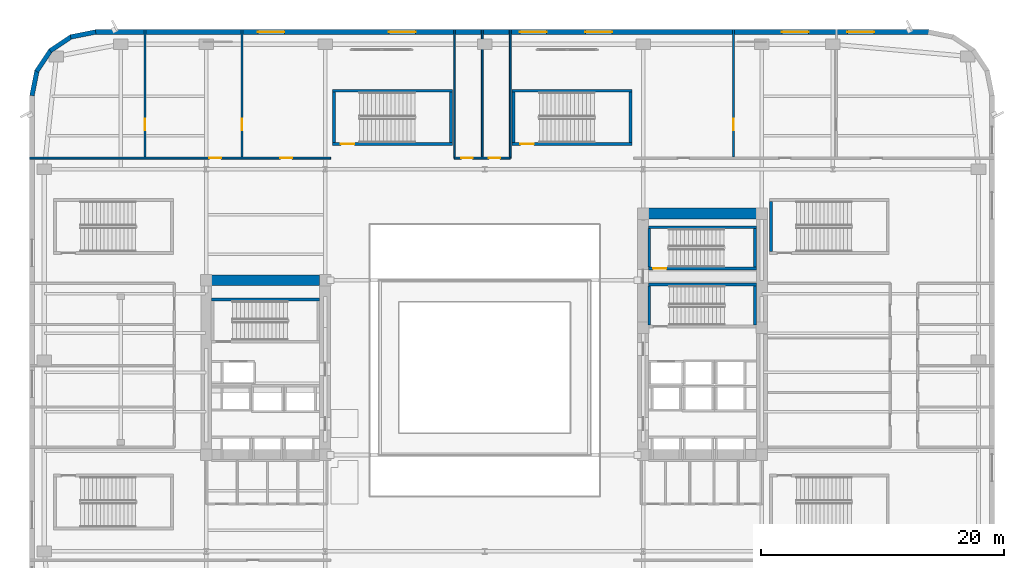
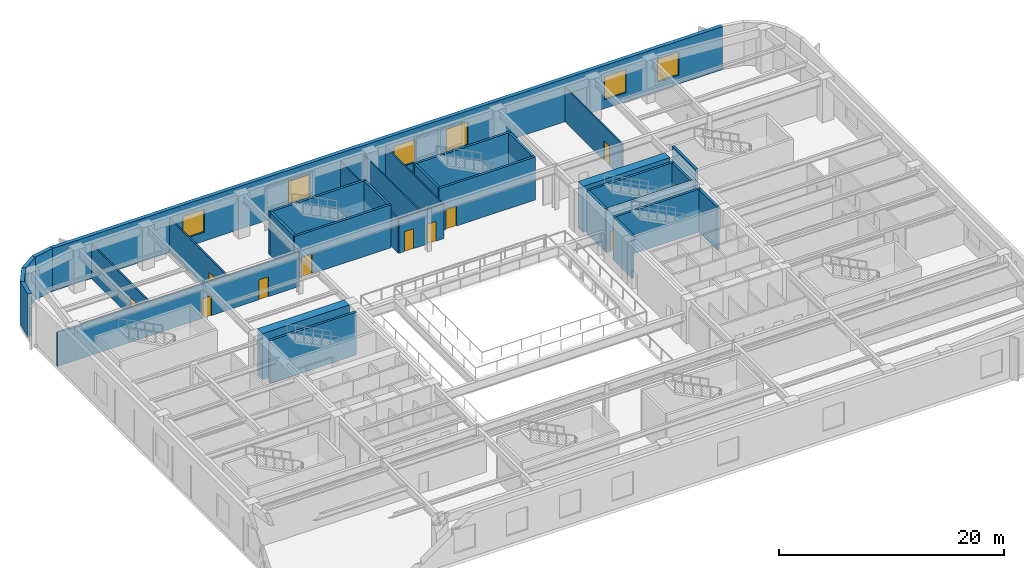
# One storey, part 8 of 21: 32 walls, 10 doors, 6 windows, 16 openings.
"""IFC4 building model written with IfcOpenShell, lengths in metres."""

import ifcopenshell
import ifcopenshell.guid

model = None  # the IFC model being written
_history = None  # IfcOwnerHistory: only IFC2X3 demands one
_inside = {}  # id of a spatial element -> (the spatial element, [elements in it])
_under = {}  # id of a project, library or spatial element -> (it, [spatial elements below it])
_declared = {}  # id of a project -> (the project, [libraries it declares])
_typed = {}  # id of a type object -> (the type object, [elements of that type])
_made_of = {}  # id of a material, layer set ... -> (it, [elements and type objects made of it])


def new_model(schema):
    """Start an empty IFC model of exactly this schema.

    Asked for "IFC4X3", IfcOpenShell would pick the latest addendum, in which some entities
    have other attributes; the version numbers below select the first issue.
    IFC2X3 requires an IfcOwnerHistory on every rooted entity: one is made here for all.
    """
    global model, _history
    if schema == "IFC4X3":
        model = ifcopenshell.file(schema_version=(4, 3, 0, 0))
    else:
        model = ifcopenshell.file(schema=schema)
    _inside.clear()
    _under.clear()
    _declared.clear()
    _typed.clear()
    _made_of.clear()
    _history = None
    if model.schema == "IFC2X3":
        org = make("IfcOrganization", Name="unknown")
        user = make(
            "IfcPersonAndOrganization",
            ThePerson=make("IfcPerson", FamilyName="unknown"),
            TheOrganization=org,
        )
        app = make(
            "IfcApplication",
            ApplicationDeveloper=org,
            Version="unknown",
            ApplicationFullName="unknown",
            ApplicationIdentifier="unknown",
        )
        _history = make(
            "IfcOwnerHistory",
            OwningUser=user,
            OwningApplication=app,
            ChangeAction="ADDED",
            CreationDate=0,
        )
    return model


def make(cls, **values):
    """One entity of the class cls with the attributes given. An attribute that is None is left unset."""
    return model.create_entity(
        cls, **{name: value for name, value in values.items() if value is not None}
    )


def rooted(cls, **values):
    """An entity with a GlobalId (a new one), such as an element, a storey or a relation."""
    return make(cls, GlobalId=ifcopenshell.guid.new(), OwnerHistory=_history, **values)


def si_unit(unit_type, name, prefix=None):
    """IfcSIUnit, for example si_unit("LENGTHUNIT", "METRE", prefix="MILLI")."""
    return make("IfcSIUnit", UnitType=unit_type, Prefix=prefix, Name=name)


def assignment(units):
    """IfcUnitAssignment: the units of a project."""
    return None if units is None else make("IfcUnitAssignment", Units=units)


def point(xyz):
    """IfcCartesianPoint."""
    return None if xyz is None else make("IfcCartesianPoint", Coordinates=xyz)


def direction(xyz):
    """IfcDirection."""
    return None if xyz is None else make("IfcDirection", DirectionRatios=xyz)


def frame(location, z_axis=None, x_axis=None):
    """IfcAxis2Placement3D, a coordinate frame: its origin and axes. An axis left out is left unset."""
    return make(
        "IfcAxis2Placement3D",
        Location=point(location),
        Axis=direction(z_axis),
        RefDirection=direction(x_axis),
    )


def frame_2d(location, x_axis=None):
    """IfcAxis2Placement2D, a coordinate frame in the plane: its origin and x axis."""
    return make(
        "IfcAxis2Placement2D", Location=point(location), RefDirection=direction(x_axis)
    )


def origin():
    """The frame at (0, 0, 0) with its axes left unset."""
    return frame((0.0, 0.0, 0.0))


def place(relative_to, where):
    """IfcLocalPlacement: puts the frame where relative to a parent placement (None: the world)."""
    return make(
        "IfcLocalPlacement", PlacementRelTo=relative_to, RelativePlacement=where
    )


def context(
    kind, dimensions, precision=None, world=None, true_north=None, identifier=None
):
    """IfcGeometricRepresentationContext, for example the 3D "Model" context."""
    return make(
        "IfcGeometricRepresentationContext",
        ContextIdentifier=identifier,
        ContextType=kind,
        CoordinateSpaceDimension=dimensions,
        Precision=precision,
        WorldCoordinateSystem=world,
        TrueNorth=true_north,
    )


def subcontext(parent, identifier, kind, view, scale=None):
    """IfcGeometricRepresentationSubContext, for example "Body" below "Model"."""
    return make(
        "IfcGeometricRepresentationSubContext",
        ContextIdentifier=identifier,
        ContextType=kind,
        ParentContext=parent,
        TargetScale=scale,
        TargetView=view,
    )


def project(units=None, contexts=None):
    """IfcProject with its units and contexts."""
    return rooted(
        "IfcProject",
        Name="project",
        RepresentationContexts=contexts,
        UnitsInContext=assignment(units),
    )


def spatial(cls, under=None, at=None, **own):
    """A site, building, storey or space (cls), placed at a placement, below another one or the project."""
    s = rooted(cls, ObjectPlacement=at, **own)
    if under is not None:
        _under.setdefault(under.id(), (under, []))[1].append(s)
    return s


def profile(cls, at=None, kind="AREA", **sizes):
    """A parametric profile (cls). Its sizes go by their IFC names, for example OverallWidth=200.0."""
    return make(cls, ProfileType=kind, Position=at, **sizes)


def rectangle(**sizes):
    """IfcRectangleProfileDef."""
    return profile("IfcRectangleProfileDef", **sizes)


def extrude(swept, where, along, depth):
    """IfcExtrudedAreaSolid: the profile swept, set in the frame where, extruded along a direction by depth."""
    return make(
        "IfcExtrudedAreaSolid",
        SweptArea=swept,
        Position=where,
        ExtrudedDirection=direction(along),
        Depth=depth,
    )


def shape(context_of_items, identifier, shape_type, items):
    """IfcShapeRepresentation: the items that make up one representation, for example the "Body"."""
    return make(
        "IfcShapeRepresentation",
        ContextOfItems=context_of_items,
        RepresentationIdentifier=identifier,
        RepresentationType=shape_type,
        Items=items,
    )


def material(Name=None, Category=None):
    """IfcMaterial."""
    return make("IfcMaterial", Name=Name, Category=Category)


def layer(
    of_material, thickness, ventilated=None, Name=None, Category=None, Priority=None
):
    """IfcMaterialLayer: one layer of a wall or slab, of a material (None: an air gap)."""
    return make(
        "IfcMaterialLayer",
        Material=of_material,
        LayerThickness=thickness,
        IsVentilated=ventilated,
        Name=Name,
        Category=Category,
        Priority=Priority,
    )


def layer_set(layers, Name=None):
    """IfcMaterialLayerSet."""
    return make("IfcMaterialLayerSet", MaterialLayers=layers, LayerSetName=Name)


def made_of(thing, what):
    """Note that an element or type object is made of a material, layer set ...; save() writes the relation."""
    if what is not None:
        _made_of.setdefault(what.id(), (what, []))[1].append(thing)
    return thing


def type_object(cls, material=None, **own):
    """A type object (cls), such as IfcWallType, which elements share."""
    return made_of(rooted(cls, **own), material)


def element(
    cls,
    number,
    at=None,
    inside=None,
    cuts=None,
    type_object=None,
    material=None,
    context=None,
    identifier="Body",
    shape_type=None,
    held_by="IfcProductDefinitionShape",
    body=None,
    shapes=None,
    **own,
):
    """One element of the class cls, such as IfcWall. Its Tag is "e" and its number.

    at: its placement. inside: the storey or other place that contains it. cuts: it is an
    opening in that element (IfcRelVoidsElement). A single representation is given by context,
    identifier, shape_type and body (its items); several are given by shapes. held_by: the class
    of the entity that holds the representations. save() writes the other relations.
    """
    e = rooted(cls, Tag="e%d" % number, ObjectPlacement=at, **own)
    if body is not None:
        shapes = [shape(context, identifier, shape_type, body)]
    if shapes is not None:
        e.Representation = make(held_by, Representations=shapes)
    if inside is not None:
        _inside.setdefault(inside.id(), (inside, []))[1].append(e)
    if cuts is not None:
        rooted(
            "IfcRelVoidsElement", RelatingBuildingElement=cuts, RelatedOpeningElement=e
        )
    if type_object is not None:
        _typed.setdefault(type_object.id(), (type_object, []))[1].append(e)
    return made_of(e, material)


def fill(opening, filler):
    """IfcRelFillsElement: the door or window that sits in an opening."""
    return rooted(
        "IfcRelFillsElement",
        RelatingOpeningElement=opening,
        RelatedBuildingElement=filler,
    )


def aggregate(whole, parts):
    """IfcRelAggregates: a whole, such as a stair, and the parts it consists of."""
    return rooted("IfcRelAggregates", RelatingObject=whole, RelatedObjects=parts)


def save(model, path):
    """Write the relations noted so far, then the file.

    IfcRelAggregates (storeys below a building ...), IfcRelContainedInSpatialStructure (elements
    in a storey), IfcRelDefinesByType, IfcRelAssociatesMaterial and IfcRelDeclares: one each for
    every whole, place, type object, material and project.
    """
    for whole, parts in _under.values():
        aggregate(whole, parts)
    for where, things in _inside.values():
        rooted(
            "IfcRelContainedInSpatialStructure",
            RelatedElements=things,
            RelatingStructure=where,
        )
    for kind, things in _typed.values():
        rooted("IfcRelDefinesByType", RelatedObjects=things, RelatingType=kind)
    for what, things in _made_of.values():
        rooted("IfcRelAssociatesMaterial", RelatedObjects=things, RelatingMaterial=what)
    for by, libraries in _declared.values():
        rooted("IfcRelDeclares", RelatingContext=by, RelatedDefinitions=libraries)
    model.write(path)


model = new_model("IFC4")

# Units and contexts
model_context = context("Model", 3, precision=1e-05, world=origin(), true_north=direction((0.0, 1.0)))
body_context = subcontext(model_context, "Body", "Model", "MODEL_VIEW")
ifc_project = project(units=[si_unit("LENGTHUNIT", "METRE"), si_unit("AREAUNIT", "SQUARE_METRE"), si_unit("VOLUMEUNIT", "CUBIC_METRE"), si_unit("PLANEANGLEUNIT", "RADIAN"), si_unit("MASSUNIT", "GRAM", prefix="KILO")], contexts=[model_context])

# Site, building, storey
site_placement = place(None, origin())
site = spatial("IfcSite", under=ifc_project, at=site_placement, CompositionType="ELEMENT")
building_placement = place(site_placement, origin())
building = spatial("IfcBuilding", under=site, at=building_placement, Name="Kolvaren Arena Tower", CompositionType="ELEMENT")
storey_placement = place(building_placement, frame((0.0, 0.0, 18.0)))
storey = spatial("IfcBuildingStorey", under=building, at=storey_placement, Name="L03", CompositionType="ELEMENT", Elevation=18.0)

# Wall, openings, doors
ifc_material_1 = material(Name="Gypsum board acoustic assembly", Category="gypsum")
ifc_layer_1 = layer(ifc_material_1, 0.159912109375)
ifc_layer_set_1 = layer_set([ifc_layer_1], Name="Gypsum board acoustic assembly")
wall_type_1 = type_object("IfcWallType", Name="CORR-160", PredefinedType="PARTITIONING", material=ifc_layer_set_1)
wall_1_placement = place(storey_placement, frame((0.0, 43.919921875, 0.0), z_axis=(0.0, 0.0, 1.0), x_axis=(1.0, 0.0, 0.0)))
wall_1 = element("IfcWall", 1, at=wall_1_placement, inside=storey, type_object=wall_type_1, Name="Interior Partition Wall (L03)", PredefinedType="PARTITIONING", context=body_context, shape_type="SweptSolid", body=[
    extrude(rectangle(XDim=24.800048828125, YDim=0.159912109375, at=frame_2d((12.39990234375, 0.0))), origin(), (0.0, 0.0, 1.0), 3.7099609375),
])
opening_1_placement = place(wall_1_placement, frame((14.818359375, 0.0, 0.0)))
opening_1 = element("IfcOpeningElement", 2, at=opening_1_placement, cuts=wall_1, Name="Opening D05", PredefinedType="OPENING", context=body_context, shape_type="SweptSolid", body=[
    extrude(rectangle(XDim=0.949951171875, YDim=2.14990234375, at=frame_2d((0.47509765625, 1.074951171875))), frame((0.0, 0.08984375, 0.0), z_axis=(0.0, -1.0, 0.0), x_axis=(1.0, 0.0, 0.0)), (0.0, 0.0, 1.0), 0.179931640625),
])
opening_2_placement = place(wall_1_placement, frame((20.669921875, 0.0, 0.0)))
opening_2 = element("IfcOpeningElement", 3, at=opening_2_placement, cuts=wall_1, Name="Opening D05", PredefinedType="OPENING", context=body_context, shape_type="SweptSolid", body=[
    extrude(rectangle(XDim=0.949951171875, YDim=2.14990234375, at=frame_2d((0.47509765625, 1.074951171875))), frame((0.0, 0.08984375, 0.0), z_axis=(0.0, -1.0, 0.0), x_axis=(1.0, 0.0, 0.0)), (0.0, 0.0, 1.0), 0.179931640625),
])
ifc_material_2 = material(Name="Solid-core oak acoustic office door", Category="wood")
door_type_1 = type_object("IfcDoorType", Name="DOOR-OF-095", OperationType="NOTDEFINED", PredefinedType="DOOR", material=ifc_material_2)
door_1_placement = place(opening_1_placement, origin())
door_1 = element("IfcDoor", 4, at=door_1_placement, inside=storey, type_object=door_type_1, Name="Meeting Room Door (L03)", OperationType="SINGLE_SWING_RIGHT", OverallHeight=2.14990234375, OverallWidth=0.949951171875, PredefinedType="DOOR", context=body_context, shape_type="SweptSolid", body=[
    extrude(rectangle(XDim=0.949951171875, YDim=2.14990234375, at=frame_2d((0.47509765625, 1.074951171875))), frame((0.0, 0.02490234375, 0.0), z_axis=(0.0, -1.0, 0.0), x_axis=(1.0, 0.0, 0.0)), (0.0, 0.0, 1.0), 0.050048828125),
])
fill(opening_1, door_1)
door_2_placement = place(opening_2_placement, origin())
door_2 = element("IfcDoor", 5, at=door_2_placement, inside=storey, type_object=door_type_1, Name="North-West Spectator Club Door (L03)", OperationType="SINGLE_SWING_LEFT", OverallHeight=2.14990234375, OverallWidth=0.949951171875, PredefinedType="DOOR", context=body_context, shape_type="SweptSolid", body=[
    extrude(rectangle(XDim=0.949951171875, YDim=2.14990234375, at=frame_2d((0.47509765625, 1.074951171875))), frame((0.0, 0.02490234375, 0.0), z_axis=(0.0, -1.0, 0.0), x_axis=(1.0, 0.0, 0.0)), (0.0, 0.0, 1.0), 0.050048828125),
])
fill(opening_2, door_2)

wall_2_placement = place(storey_placement, frame((35.0, 43.919921875, 0.0), z_axis=(0.0, 0.0, 1.0), x_axis=(1.0, 0.0, 0.0)))
wall_2 = element("IfcWall", 6, at=wall_2_placement, inside=storey, type_object=wall_type_1, Name="Interior Partition Wall (L03)", PredefinedType="PARTITIONING", context=body_context, shape_type="SweptSolid", body=[
    extrude(rectangle(XDim=4.60009765625, YDim=0.159912109375, at=frame_2d((2.300048828125, 0.0))), origin(), (0.0, 0.0, 1.0), 3.7099609375),
])
opening_3_placement = place(wall_2_placement, frame((0.550048828125, 0.0, 0.0)))
opening_3 = element("IfcOpeningElement", 7, at=opening_3_placement, cuts=wall_2, Name="Opening D05", PredefinedType="OPENING", context=body_context, shape_type="SweptSolid", body=[
    extrude(rectangle(XDim=0.949951171875, YDim=2.14990234375, at=frame_2d((0.47509765625, 1.074951171875))), frame((0.0, 0.08984375, 0.0), z_axis=(0.0, -1.0, 0.0), x_axis=(1.0, 0.0, 0.0)), (0.0, 0.0, 1.0), 0.179931640625),
])
opening_4_placement = place(wall_2_placement, frame((2.85009765625, 0.0, 0.0)))
opening_4 = element("IfcOpeningElement", 8, at=opening_4_placement, cuts=wall_2, Name="Opening D05", PredefinedType="OPENING", context=body_context, shape_type="SweptSolid", body=[
    extrude(rectangle(XDim=0.949951171875, YDim=2.14990234375, at=frame_2d((0.47509765625, 1.074951171875))), frame((0.0, 0.08984375, 0.0), z_axis=(0.0, -1.0, 0.0), x_axis=(1.0, 0.0, 0.0)), (0.0, 0.0, 1.0), 0.179931640625),
])
door_3_placement = place(opening_3_placement, origin())
door_3 = element("IfcDoor", 9, at=door_3_placement, inside=storey, type_object=door_type_1, Name="North Steward Pantry Door (L03)", OperationType="SINGLE_SWING_LEFT", OverallHeight=2.14990234375, OverallWidth=0.949951171875, PredefinedType="DOOR", context=body_context, shape_type="SweptSolid", body=[
    extrude(rectangle(XDim=0.949951171875, YDim=2.14990234375, at=frame_2d((0.47509765625, 1.074951171875))), frame((0.0, 0.02490234375, 0.0), z_axis=(0.0, -1.0, 0.0), x_axis=(1.0, 0.0, 0.0)), (0.0, 0.0, 1.0), 0.050048828125),
])
fill(opening_3, door_3)
door_4_placement = place(opening_4_placement, origin())
door_4 = element("IfcDoor", 10, at=door_4_placement, inside=storey, type_object=door_type_1, Name="North First Aid Door (L03)", OperationType="SINGLE_SWING_RIGHT", OverallHeight=2.14990234375, OverallWidth=0.949951171875, PredefinedType="DOOR", context=body_context, shape_type="SweptSolid", body=[
    extrude(rectangle(XDim=0.949951171875, YDim=2.14990234375, at=frame_2d((0.47509765625, 1.074951171875))), frame((0.0, 0.02490234375, 0.0), z_axis=(0.0, -1.0, 0.0), x_axis=(1.0, 0.0, 0.0)), (0.0, 0.0, 1.0), 0.050048828125),
])
fill(opening_4, door_4)

# Walls
ifc_material_3 = material(Name="Concrete 80 MPa", Category="concrete")
ifc_layer_2 = layer(ifc_material_3, 0.89990234375)
ifc_layer_set_2 = layer_set([ifc_layer_2], Name="Concrete 80 MPa")
wall_type_2 = type_object("IfcWallType", Name="CWALL-900", PredefinedType="SHEAR", material=ifc_layer_set_2)
for number, where, z_axis, x_axis, name in (
    (11, (15.0, 33.85009765625, -0.35009765625), (0.0, 0.0, 1.0), (1.0, 0.0, 0.0), "Core Shear Wall WC-NORTH (L03)"),
    (12, (51.0, 39.35009765625, -0.35009765625), (0.0, 0.0, 1.0), (1.0, 0.0, 0.0), "Core Shear Wall EC-NORTH (L03)"),
):
    element("IfcWall", number, at=place(storey_placement, frame(where, z_axis=z_axis, x_axis=x_axis)), inside=storey, type_object=wall_type_2, Name=name, PredefinedType="SHEAR", context=body_context, shape_type="SweptSolid", body=[
        extrude(rectangle(XDim=8.89990234375, YDim=0.89990234375, at=frame_2d((4.449951171875, 0.0))), origin(), (0.0, 0.0, 1.0), 5.0),
    ])

# Wall, openings, windows
ifc_material_4 = material(Name="Precast concrete C50/60", Category="concrete")
ifc_layer_3 = layer(ifc_material_4, 0.3798828125)
ifc_layer_set_3 = layer_set([ifc_layer_3], Name="Precast concrete C50/60")
wall_type_3 = type_object("IfcWallType", Name="EXT-ARENA", PredefinedType="SOLIDWALL", material=ifc_layer_set_3)
wall_3_placement = place(storey_placement, frame((5.39990234375, 54.31005859375, 0.0), z_axis=(0.0, 0.0, 1.0), x_axis=(1.0, 0.0, 0.0)))
wall_3 = element("IfcWall", 13, at=wall_3_placement, inside=storey, type_object=wall_type_3, Name="Exterior Precast Masonry-Frame Wall (L03)", PredefinedType="SOLIDWALL", context=body_context, shape_type="SweptSolid", body=[
    extrude(rectangle(XDim=68.7001953125, YDim=0.3798828125, at=frame_2d((34.35009765625, 0.0))), origin(), (0.0, 0.0, 1.0), 4.64990234375),
])
opening_5_placement = place(wall_3_placement, frame((13.39990234375, 0.0, 0.949951171875)))
opening_5 = element("IfcOpeningElement", 14, at=opening_5_placement, cuts=wall_3, Name="Opening W07", PredefinedType="OPENING", context=body_context, shape_type="SweptSolid", body=[
    extrude(rectangle(XDim=2.199951171875, YDim=2.5, at=frame_2d((1.10009765625, 1.25))), frame((0.0, 0.199951171875, 0.0), z_axis=(0.0, -1.0, 0.0), x_axis=(1.0, 0.0, 0.0)), (0.0, 0.0, 1.0), 0.39990234375),
])
opening_6_placement = place(wall_3_placement, frame((24.199951171875, 0.0, 0.949951171875)))
opening_6 = element("IfcOpeningElement", 15, at=opening_6_placement, cuts=wall_3, Name="Opening W07", PredefinedType="OPENING", context=body_context, shape_type="SweptSolid", body=[
    extrude(rectangle(XDim=2.199951171875, YDim=2.5, at=frame_2d((1.10009765625, 1.25))), frame((0.0, 0.199951171875, 0.0), z_axis=(0.0, -1.0, 0.0), x_axis=(1.0, 0.0, 0.0)), (0.0, 0.0, 1.0), 0.39990234375),
])
opening_7_placement = place(wall_3_placement, frame((35.0, 0.0, 0.949951171875)))
opening_7 = element("IfcOpeningElement", 16, at=opening_7_placement, cuts=wall_3, Name="Opening W07", PredefinedType="OPENING", context=body_context, shape_type="SweptSolid", body=[
    extrude(rectangle(XDim=2.199951171875, YDim=2.5, at=frame_2d((1.10009765625, 1.25))), frame((0.0, 0.199951171875, 0.0), z_axis=(0.0, -1.0, 0.0), x_axis=(1.0, 0.0, 0.0)), (0.0, 0.0, 1.0), 0.39990234375),
])
opening_8_placement = place(wall_3_placement, frame((40.39990234375, 0.0, 0.949951171875)))
opening_8 = element("IfcOpeningElement", 17, at=opening_8_placement, cuts=wall_3, Name="Opening W07", PredefinedType="OPENING", context=body_context, shape_type="SweptSolid", body=[
    extrude(rectangle(XDim=2.199951171875, YDim=2.5, at=frame_2d((1.10009765625, 1.25))), frame((0.0, 0.199951171875, 0.0), z_axis=(0.0, -1.0, 0.0), x_axis=(1.0, 0.0, 0.0)), (0.0, 0.0, 1.0), 0.39990234375),
])
opening_9_placement = place(wall_3_placement, frame((56.60009765625, 0.0, 0.949951171875)))
opening_9 = element("IfcOpeningElement", 18, at=opening_9_placement, cuts=wall_3, Name="Opening W07", PredefinedType="OPENING", context=body_context, shape_type="SweptSolid", body=[
    extrude(rectangle(XDim=2.199951171875, YDim=2.5, at=frame_2d((1.10009765625, 1.25))), frame((0.0, 0.199951171875, 0.0), z_axis=(0.0, -1.0, 0.0), x_axis=(1.0, 0.0, 0.0)), (0.0, 0.0, 1.0), 0.39990234375),
])
opening_10_placement = place(wall_3_placement, frame((62.0, 0.0, 0.949951171875)))
opening_10 = element("IfcOpeningElement", 19, at=opening_10_placement, cuts=wall_3, Name="Opening W07", PredefinedType="OPENING", context=body_context, shape_type="SweptSolid", body=[
    extrude(rectangle(XDim=2.199951171875, YDim=2.5, at=frame_2d((1.10009765625, 1.25))), frame((0.0, 0.199951171875, 0.0), z_axis=(0.0, -1.0, 0.0), x_axis=(1.0, 0.0, 0.0)), (0.0, 0.0, 1.0), 0.39990234375),
])
ifc_material_5 = material(Name="Triple-glazed arena concourse window", Category="glass")
window_type = type_object("IfcWindowType", Name="WIN-POD-A", PartitioningType="DOUBLE_PANEL_VERTICAL", PredefinedType="WINDOW", material=ifc_material_5)
window_1_placement = place(opening_5_placement, origin())
window_1 = element("IfcWindow", 20, at=window_1_placement, inside=storey, type_object=window_type, Name="Punched Precast-Pier Window (L03)", OverallHeight=2.5, OverallWidth=2.199951171875, PartitioningType="DOUBLE_PANEL_VERTICAL", PredefinedType="WINDOW", context=body_context, shape_type="SweptSolid", body=[
    extrude(rectangle(XDim=2.199951171875, YDim=2.5, at=frame_2d((1.10009765625, 1.25))), frame((0.0, 0.030029296875, 0.0), z_axis=(0.0, -1.0, 0.0), x_axis=(1.0, 0.0, 0.0)), (0.0, 0.0, 1.0), 0.06005859375),
])
fill(opening_5, window_1)
window_2_placement = place(opening_6_placement, origin())
window_2 = element("IfcWindow", 21, at=window_2_placement, inside=storey, type_object=window_type, Name="Punched Precast-Pier Window (L03)", OverallHeight=2.5, OverallWidth=2.199951171875, PartitioningType="DOUBLE_PANEL_VERTICAL", PredefinedType="WINDOW", context=body_context, shape_type="SweptSolid", body=[
    extrude(rectangle(XDim=2.199951171875, YDim=2.5, at=frame_2d((1.10009765625, 1.25))), frame((0.0, 0.030029296875, 0.0), z_axis=(0.0, -1.0, 0.0), x_axis=(1.0, 0.0, 0.0)), (0.0, 0.0, 1.0), 0.06005859375),
])
fill(opening_6, window_2)
window_3_placement = place(opening_7_placement, origin())
window_3 = element("IfcWindow", 22, at=window_3_placement, inside=storey, type_object=window_type, Name="Punched Precast-Pier Window (L03)", OverallHeight=2.5, OverallWidth=2.199951171875, PartitioningType="DOUBLE_PANEL_VERTICAL", PredefinedType="WINDOW", context=body_context, shape_type="SweptSolid", body=[
    extrude(rectangle(XDim=2.199951171875, YDim=2.5, at=frame_2d((1.10009765625, 1.25))), frame((0.0, 0.030029296875, 0.0), z_axis=(0.0, -1.0, 0.0), x_axis=(1.0, 0.0, 0.0)), (0.0, 0.0, 1.0), 0.06005859375),
])
fill(opening_7, window_3)
window_4_placement = place(opening_8_placement, origin())
window_4 = element("IfcWindow", 23, at=window_4_placement, inside=storey, type_object=window_type, Name="Punched Precast-Pier Window (L03)", OverallHeight=2.5, OverallWidth=2.199951171875, PartitioningType="DOUBLE_PANEL_VERTICAL", PredefinedType="WINDOW", context=body_context, shape_type="SweptSolid", body=[
    extrude(rectangle(XDim=2.199951171875, YDim=2.5, at=frame_2d((1.10009765625, 1.25))), frame((0.0, 0.030029296875, 0.0), z_axis=(0.0, -1.0, 0.0), x_axis=(1.0, 0.0, 0.0)), (0.0, 0.0, 1.0), 0.06005859375),
])
fill(opening_8, window_4)
window_5_placement = place(opening_9_placement, origin())
window_5 = element("IfcWindow", 24, at=window_5_placement, inside=storey, type_object=window_type, Name="Punched Precast-Pier Window (L03)", OverallHeight=2.5, OverallWidth=2.199951171875, PartitioningType="DOUBLE_PANEL_VERTICAL", PredefinedType="WINDOW", context=body_context, shape_type="SweptSolid", body=[
    extrude(rectangle(XDim=2.199951171875, YDim=2.5, at=frame_2d((1.10009765625, 1.25))), frame((0.0, 0.030029296875, 0.0), z_axis=(0.0, -1.0, 0.0), x_axis=(1.0, 0.0, 0.0)), (0.0, 0.0, 1.0), 0.06005859375),
])
fill(opening_9, window_5)
window_6_placement = place(opening_10_placement, origin())
window_6 = element("IfcWindow", 25, at=window_6_placement, inside=storey, type_object=window_type, Name="Punched Precast-Pier Window (L03)", OverallHeight=2.5, OverallWidth=2.199951171875, PartitioningType="DOUBLE_PANEL_VERTICAL", PredefinedType="WINDOW", context=body_context, shape_type="SweptSolid", body=[
    extrude(rectangle(XDim=2.199951171875, YDim=2.5, at=frame_2d((1.10009765625, 1.25))), frame((0.0, 0.030029296875, 0.0), z_axis=(0.0, -1.0, 0.0), x_axis=(1.0, 0.0, 0.0)), (0.0, 0.0, 1.0), 0.06005859375),
])
fill(opening_10, window_6)

# Walls
for number, where, z_axis, x_axis, name in (
    (26, (3.37060546875, 53.902587890625, 0.0), (0.0, 0.0, 1.0), (0.9807762837, 0.195135546048, 0.0), "Exterior Precast Masonry-Frame Wall (L03)"),
    (27, (1.687255859375, 52.760498046875, 0.0), (0.0, 0.0, 1.0), (0.831515102434, 0.555502146192, 0.0), "Exterior Precast Masonry-Frame Wall (L03)"),
    (28, (0.569091796875, 51.060791015625, 0.0), (0.0, 0.0, 1.0), (0.555502146192, 0.831515102434, 0.0), "Exterior Precast Masonry-Frame Wall (L03)"),
    (29, (0.186279296875, 49.06298828125, 0.0), (0.0, 0.0, 1.0), (0.195135546048, 0.9807762837, 0.0), "Exterior Precast Masonry-Frame Wall (L03)"),
):
    element("IfcWall", number, at=place(storey_placement, frame(where, z_axis=z_axis, x_axis=x_axis)), inside=storey, type_object=wall_type_3, Name=name, PredefinedType="SOLIDWALL", context=body_context, shape_type="SweptSolid", body=[
        extrude(rectangle(XDim=2.10693359375, YDim=0.3798828125, at=frame_2d((1.053466796875, 0.0))), origin(), (0.0, 0.0, 1.0), 4.64990234375),
    ])

# Wall, opening, door
ifc_material_6 = material(Name="Gypsum board partition assembly", Category="gypsum")
ifc_layer_4 = layer(ifc_material_6, 0.135009765625)
ifc_layer_set_4 = layer_set([ifc_layer_4], Name="Gypsum board partition assembly")
wall_type_4 = type_object("IfcWallType", Name="PART-135", PredefinedType="PARTITIONING", material=ifc_layer_set_4)
wall_4_placement = place(storey_placement, frame((9.5, 44.010009765625, 0.0), z_axis=(0.0, 0.0, 1.0), x_axis=(0.0, 1.0, 0.0)))
wall_4 = element("IfcWall", 30, at=wall_4_placement, inside=storey, type_object=wall_type_4, Name="Interior Partition Wall (L03)", PredefinedType="PARTITIONING", context=body_context, shape_type="SweptSolid", body=[
    extrude(rectangle(XDim=10.489990234375, YDim=0.135009765625, at=frame_2d((5.2451171875, 0.0))), origin(), (0.0, 0.0, 1.0), 3.7099609375),
])
opening_11_placement = place(wall_4_placement, frame((2.199951171875, 0.0, 0.0)))
opening_11 = element("IfcOpeningElement", 31, at=opening_11_placement, cuts=wall_4, Name="Opening D05", PredefinedType="OPENING", context=body_context, shape_type="SweptSolid", body=[
    extrude(rectangle(XDim=0.949951171875, YDim=2.14990234375, at=frame_2d((0.47509765625, 1.074951171875))), frame((0.0, 0.077392578125, 0.0), z_axis=(0.0, -1.0, 0.0), x_axis=(1.0, 0.0, 0.0)), (0.0, 0.0, 1.0), 0.155029296875),
])
door_5_placement = place(opening_11_placement, origin())
door_5 = element("IfcDoor", 32, at=door_5_placement, inside=storey, type_object=door_type_1, Name="Family Lounge Connecting Door (L03)", OperationType="SINGLE_SWING_LEFT", OverallHeight=2.14990234375, OverallWidth=0.949951171875, PredefinedType="DOOR", context=body_context, shape_type="SweptSolid", body=[
    extrude(rectangle(XDim=0.949951171875, YDim=2.14990234375, at=frame_2d((0.47509765625, 1.074951171875))), frame((0.0, 0.02490234375, 0.0), z_axis=(0.0, -1.0, 0.0), x_axis=(1.0, 0.0, 0.0)), (0.0, 0.0, 1.0), 0.050048828125),
])
fill(opening_11, door_5)

wall_5_placement = place(storey_placement, frame((17.5, 44.010009765625, 0.0), z_axis=(0.0, 0.0, 1.0), x_axis=(0.0, 1.0, 0.0)))
wall_5 = element("IfcWall", 33, at=wall_5_placement, inside=storey, type_object=wall_type_4, Name="Interior Partition Wall (L03)", PredefinedType="PARTITIONING", context=body_context, shape_type="SweptSolid", body=[
    extrude(rectangle(XDim=10.489990234375, YDim=0.135009765625, at=frame_2d((5.2451171875, 0.0))), origin(), (0.0, 0.0, 1.0), 3.7099609375),
])
opening_12_placement = place(wall_5_placement, frame((2.199951171875, 0.0, 0.0)))
opening_12 = element("IfcOpeningElement", 34, at=opening_12_placement, cuts=wall_5, Name="Opening D05", PredefinedType="OPENING", context=body_context, shape_type="SweptSolid", body=[
    extrude(rectangle(XDim=0.949951171875, YDim=2.14990234375, at=frame_2d((0.47509765625, 1.074951171875))), frame((0.0, 0.077392578125, 0.0), z_axis=(0.0, -1.0, 0.0), x_axis=(1.0, 0.0, 0.0)), (0.0, 0.0, 1.0), 0.155029296875),
])
door_6_placement = place(opening_12_placement, origin())
door_6 = element("IfcDoor", 35, at=door_6_placement, inside=storey, type_object=door_type_1, Name="Meeting Room Connecting Door (L03)", OperationType="SINGLE_SWING_LEFT", OverallHeight=2.14990234375, OverallWidth=0.949951171875, PredefinedType="DOOR", context=body_context, shape_type="SweptSolid", body=[
    extrude(rectangle(XDim=0.949951171875, YDim=2.14990234375, at=frame_2d((0.47509765625, 1.074951171875))), frame((0.0, 0.02490234375, 0.0), z_axis=(0.0, -1.0, 0.0), x_axis=(1.0, 0.0, 0.0)), (0.0, 0.0, 1.0), 0.050048828125),
])
fill(opening_12, door_6)

wall_6_placement = place(storey_placement, frame((58.0, 44.010009765625, 0.0), z_axis=(0.0, 0.0, 1.0), x_axis=(0.0, 1.0, 0.0)))
wall_6 = element("IfcWall", 36, at=wall_6_placement, inside=storey, type_object=wall_type_4, Name="Interior Partition Wall (L03)", PredefinedType="PARTITIONING", context=body_context, shape_type="SweptSolid", body=[
    extrude(rectangle(XDim=10.489990234375, YDim=0.135009765625, at=frame_2d((5.2451171875, 0.0))), origin(), (0.0, 0.0, 1.0), 3.7099609375),
])
opening_13_placement = place(wall_6_placement, frame((2.199951171875, 0.0, 0.0)))
opening_13 = element("IfcOpeningElement", 37, at=opening_13_placement, cuts=wall_6, Name="Opening D05", PredefinedType="OPENING", context=body_context, shape_type="SweptSolid", body=[
    extrude(rectangle(XDim=0.949951171875, YDim=2.14990234375, at=frame_2d((0.47509765625, 1.074951171875))), frame((0.0, 0.077392578125, 0.0), z_axis=(0.0, -1.0, 0.0), x_axis=(1.0, 0.0, 0.0)), (0.0, 0.0, 1.0), 0.155029296875),
])
door_7_placement = place(opening_13_placement, origin())
door_7 = element("IfcDoor", 38, at=door_7_placement, inside=storey, type_object=door_type_1, Name="VIP Merchandise Room Connecting Door (L03)", OperationType="SINGLE_SWING_LEFT", OverallHeight=2.14990234375, OverallWidth=0.949951171875, PredefinedType="DOOR", context=body_context, shape_type="SweptSolid", body=[
    extrude(rectangle(XDim=0.949951171875, YDim=2.14990234375, at=frame_2d((0.47509765625, 1.074951171875))), frame((0.0, 0.02490234375, 0.0), z_axis=(0.0, -1.0, 0.0), x_axis=(1.0, 0.0, 0.0)), (0.0, 0.0, 1.0), 0.050048828125),
])
fill(opening_13, door_7)

# Walls
wall_7_placement = place(storey_placement, frame((37.300048828125, 44.0, 0.0), z_axis=(0.0, 0.0, 1.0), x_axis=(0.0, 1.0, 0.0)))
element("IfcWall", 39, at=wall_7_placement, inside=storey, type_object=wall_type_4, Name="Interior Partition Wall (L03)", PredefinedType="PARTITIONING", context=body_context, shape_type="SweptSolid", body=[
    extrude(rectangle(XDim=10.5, YDim=0.135009765625, at=frame_2d((5.25, 0.0))), origin(), (0.0, 0.0, 1.0), 3.7099609375),
])
for number, where, z_axis, x_axis, name in (
    (40, (35.0, 43.919921875, 0.0), (0.0, 0.0, 1.0), (0.0, 1.0, 0.0), "Interior Partition Wall (L03)"),
    (41, (39.60009765625, 43.919921875, 0.0), (0.0, 0.0, 1.0), (0.0, 1.0, 0.0), "Interior Partition Wall (L03)"),
):
    element("IfcWall", number, at=place(storey_placement, frame(where, z_axis=z_axis, x_axis=x_axis)), inside=storey, type_object=wall_type_4, Name=name, PredefinedType="PARTITIONING", context=body_context, shape_type="SweptSolid", body=[
        extrude(rectangle(XDim=10.580078125, YDim=0.135009765625, at=frame_2d((5.2900390625, 0.0))), origin(), (0.0, 0.0, 1.0), 3.7099609375),
    ])

# Wall, opening, door
ifc_material_7 = material(Name="Concrete 45 MPa", Category="concrete")
ifc_layer_5 = layer(ifc_material_7, 0.25)
ifc_layer_set_5 = layer_set([ifc_layer_5], Name="Concrete 45 MPa")
wall_type_5 = type_object("IfcWallType", Name="SHAFT-250", PredefinedType="SOLIDWALL", material=ifc_layer_set_5)
wall_8_placement = place(storey_placement, frame((34.840087890625, 45.080078125, 0.0), z_axis=(0.0, 0.0, 1.0), x_axis=(-1.0, 0.0, 0.0)))
wall_8 = element("IfcWall", 42, at=wall_8_placement, inside=storey, type_object=wall_type_5, Name="Stair ST-A6 Rated Enclosure Wall (L03)", PredefinedType="SOLIDWALL", context=body_context, shape_type="SweptSolid", body=[
    extrude(rectangle(XDim=9.880126953125, YDim=0.239990234375, at=frame_2d((4.93994140625, 0.0))), origin(), (0.0, 0.0, 1.0), 4.64990234375),
])
opening_14_placement = place(wall_8_placement, frame((8.090087890625, 0.0, 0.0)))
opening_14 = element("IfcOpeningElement", 43, at=opening_14_placement, cuts=wall_8, Name="Opening D03", PredefinedType="OPENING", context=body_context, shape_type="SweptSolid", body=[
    extrude(rectangle(XDim=1.10009765625, YDim=2.14990234375, at=frame_2d((0.550048828125, 1.074951171875))), frame((0.0, 0.1298828125, 0.0), z_axis=(0.0, -1.0, 0.0), x_axis=(1.0, 0.0, 0.0)), (0.0, 0.0, 1.0), 0.260009765625),
])
ifc_material_8 = material(Name="Fire-rated steel exit stair door", Category="steel")
door_type_2 = type_object("IfcDoorType", Name="DOOR-ST-110", OperationType="NOTDEFINED", PredefinedType="DOOR", material=ifc_material_8)
door_8_placement = place(opening_14_placement, origin())
door_8 = element("IfcDoor", 44, at=door_8_placement, inside=storey, type_object=door_type_2, Name="Exit Stair ST-A6 Fire Door (L03)", OperationType="SINGLE_SWING_RIGHT", OverallHeight=2.14990234375, OverallWidth=1.10009765625, PredefinedType="DOOR", context=body_context, shape_type="SweptSolid", body=[
    extrude(rectangle(XDim=1.10009765625, YDim=2.14990234375, at=frame_2d((0.550048828125, 1.074951171875))), frame((0.0, 0.02490234375, 0.0), z_axis=(0.0, -1.0, 0.0), x_axis=(1.0, 0.0, 0.0)), (0.0, 0.0, 1.0), 0.050048828125),
])
fill(opening_14, door_8)

# Walls
wall_9_placement = place(storey_placement, frame((24.9599609375, 49.469970703125, 0.0), z_axis=(0.0, 0.0, 1.0), x_axis=(1.0, 0.0, 0.0)))
element("IfcWall", 45, at=wall_9_placement, inside=storey, type_object=wall_type_5, Name="Stair ST-A6 Rear Shaft Wall (L03)", PredefinedType="SOLIDWALL", context=body_context, shape_type="SweptSolid", body=[
    extrude(rectangle(XDim=9.880126953125, YDim=0.239990234375, at=frame_2d((4.93994140625, 0.0))), origin(), (0.0, 0.0, 1.0), 4.64990234375),
])
for number, where, z_axis, x_axis, name in (
    (46, (25.080078125, 45.199951171875, 0.0), (0.0, 0.0, 1.0), (0.0, 1.0, 0.0), "Stair ST-A6 West Shaft Wall (L03)"),
    (47, (34.719970703125, 45.199951171875, 0.0), (0.0, 0.0, 1.0), (0.0, 1.0, 0.0), "Stair ST-A6 East Shaft Wall (L03)"),
):
    element("IfcWall", number, at=place(storey_placement, frame(where, z_axis=z_axis, x_axis=x_axis)), inside=storey, type_object=wall_type_5, Name=name, PredefinedType="SOLIDWALL", context=body_context, shape_type="SweptSolid", body=[
        extrude(rectangle(XDim=4.150146484375, YDim=0.239990234375, at=frame_2d((2.0751953125, 0.0))), origin(), (0.0, 0.0, 1.0), 4.64990234375),
    ])

# Wall, opening, door
wall_10_placement = place(storey_placement, frame((49.639892578125, 45.080078125, 0.0), z_axis=(0.0, 0.0, 1.0), x_axis=(-1.0, 0.0, 0.0)))
wall_10 = element("IfcWall", 48, at=wall_10_placement, inside=storey, type_object=wall_type_5, Name="Stair ST-A7 Rated Enclosure Wall (L03)", PredefinedType="SOLIDWALL", context=body_context, shape_type="SweptSolid", body=[
    extrude(rectangle(XDim=9.8798828125, YDim=0.239990234375, at=frame_2d((4.93994140625, 0.0))), origin(), (0.0, 0.0, 1.0), 4.64990234375),
])
opening_15_placement = place(wall_10_placement, frame((8.090087890625, 0.0, 0.0)))
opening_15 = element("IfcOpeningElement", 49, at=opening_15_placement, cuts=wall_10, Name="Opening D03", PredefinedType="OPENING", context=body_context, shape_type="SweptSolid", body=[
    extrude(rectangle(XDim=1.10009765625, YDim=2.14990234375, at=frame_2d((0.550048828125, 1.074951171875))), frame((0.0, 0.1298828125, 0.0), z_axis=(0.0, -1.0, 0.0), x_axis=(1.0, 0.0, 0.0)), (0.0, 0.0, 1.0), 0.260009765625),
])
door_9_placement = place(opening_15_placement, origin())
door_9 = element("IfcDoor", 50, at=door_9_placement, inside=storey, type_object=door_type_2, Name="Exit Stair ST-A7 Fire Door (L03)", OperationType="SINGLE_SWING_RIGHT", OverallHeight=2.14990234375, OverallWidth=1.10009765625, PredefinedType="DOOR", context=body_context, shape_type="SweptSolid", body=[
    extrude(rectangle(XDim=1.10009765625, YDim=2.14990234375, at=frame_2d((0.550048828125, 1.074951171875))), frame((0.0, 0.02490234375, 0.0), z_axis=(0.0, -1.0, 0.0), x_axis=(1.0, 0.0, 0.0)), (0.0, 0.0, 1.0), 0.050048828125),
])
fill(opening_15, door_9)

# Walls
wall_11_placement = place(storey_placement, frame((39.760009765625, 49.469970703125, 0.0), z_axis=(0.0, 0.0, 1.0), x_axis=(1.0, 0.0, 0.0)))
element("IfcWall", 51, at=wall_11_placement, inside=storey, type_object=wall_type_5, Name="Stair ST-A7 Rear Shaft Wall (L03)", PredefinedType="SOLIDWALL", context=body_context, shape_type="SweptSolid", body=[
    extrude(rectangle(XDim=9.8798828125, YDim=0.239990234375, at=frame_2d((4.93994140625, 0.0))), origin(), (0.0, 0.0, 1.0), 4.64990234375),
])
for number, where, z_axis, x_axis, name in (
    (52, (39.8798828125, 45.199951171875, 0.0), (0.0, 0.0, 1.0), (0.0, 1.0, 0.0), "Stair ST-A7 West Shaft Wall (L03)"),
    (53, (49.52001953125, 45.199951171875, 0.0), (0.0, 0.0, 1.0), (0.0, 1.0, 0.0), "Stair ST-A7 East Shaft Wall (L03)"),
    (54, (61.080078125, 36.199951171875, 0.0), (0.0, 0.0, 1.0), (0.0, 1.0, 0.0), "Stair ST-A8 West Shaft Wall (L03)"),
):
    element("IfcWall", number, at=place(storey_placement, frame(where, z_axis=z_axis, x_axis=x_axis)), inside=storey, type_object=wall_type_5, Name=name, PredefinedType="SOLIDWALL", context=body_context, shape_type="SweptSolid", body=[
        extrude(rectangle(XDim=4.150146484375, YDim=0.239990234375, at=frame_2d((2.0751953125, 0.0))), origin(), (0.0, 0.0, 1.0), 4.64990234375),
    ])
for number, where, z_axis, x_axis, name in (
    (55, (15.0, 32.25, 0.0), (0.0, 0.0, 1.0), (1.0, 0.0, 0.0), "Core Shaft Wall (L03)"),
    (56, (51.0, 33.5, 0.0), (0.0, 0.0, 1.0), (1.0, 0.0, 0.0), "Core Shaft Wall (L03)"),
):
    element("IfcWall", number, at=place(storey_placement, frame(where, z_axis=z_axis, x_axis=x_axis)), inside=storey, type_object=wall_type_5, Name=name, PredefinedType="SOLIDWALL", context=body_context, shape_type="SweptSolid", body=[
        extrude(rectangle(XDim=8.89990234375, YDim=0.239990234375, at=frame_2d((4.449951171875, 0.0))), origin(), (0.0, 0.0, 1.0), 4.64990234375),
    ])
for number, where, z_axis, x_axis, name in (
    (57, (51.06005859375, 30.14990234375, 0.0), (0.0, 0.0, 1.0), (0.0, 1.0, 0.0), "Core Shaft Wall (L03)"),
    (58, (59.780029296875, 30.14990234375, 0.0), (0.0, 0.0, 1.0), (0.0, 1.0, 0.0), "Core Shaft Wall (L03)"),
):
    element("IfcWall", number, at=place(storey_placement, frame(where, z_axis=z_axis, x_axis=x_axis)), inside=storey, type_object=wall_type_5, Name=name, PredefinedType="SOLIDWALL", context=body_context, shape_type="SweptSolid", body=[
        extrude(rectangle(XDim=3.22998046875, YDim=0.239990234375, at=frame_2d((1.614990234375, 0.0))), origin(), (0.0, 0.0, 1.0), 4.64990234375),
    ])

# Wall, opening, door
wall_12_placement = place(storey_placement, frame((59.89990234375, 34.830078125, 0.0), z_axis=(0.0, 0.0, 1.0), x_axis=(-1.0, 0.0, 0.0)))
wall_12 = element("IfcWall", 59, at=wall_12_placement, inside=storey, type_object=wall_type_5, Name="Core Shaft Wall (L03)", PredefinedType="SOLIDWALL", context=body_context, shape_type="SweptSolid", body=[
    extrude(rectangle(XDim=8.89990234375, YDim=0.239990234375, at=frame_2d((4.449951171875, 0.0))), origin(), (0.0, 0.0, 1.0), 4.64990234375),
])
opening_16_placement = place(wall_12_placement, frame((7.419921875, 0.0, 0.0)))
opening_16 = element("IfcOpeningElement", 60, at=opening_16_placement, cuts=wall_12, Name="Opening D03", PredefinedType="OPENING", context=body_context, shape_type="SweptSolid", body=[
    extrude(rectangle(XDim=1.10009765625, YDim=2.14990234375, at=frame_2d((0.550048828125, 1.074951171875))), frame((0.0, 0.1298828125, 0.0), z_axis=(0.0, -1.0, 0.0), x_axis=(1.0, 0.0, 0.0)), (0.0, 0.0, 1.0), 0.260009765625),
])
door_10_placement = place(opening_16_placement, origin())
door_10 = element("IfcDoor", 61, at=door_10_placement, inside=storey, type_object=door_type_2, Name="Stair ST-E2 Fire Door (L03)", OperationType="SINGLE_SWING_LEFT", OverallHeight=2.14990234375, OverallWidth=1.10009765625, PredefinedType="DOOR", context=body_context, shape_type="SweptSolid", body=[
    extrude(rectangle(XDim=1.10009765625, YDim=2.14990234375, at=frame_2d((0.550048828125, 1.074951171875))), frame((0.0, 0.02490234375, 0.0), z_axis=(0.0, -1.0, 0.0), x_axis=(1.0, 0.0, 0.0)), (0.0, 0.0, 1.0), 0.050048828125),
])
fill(opening_16, door_10)

# Walls
wall_13_placement = place(storey_placement, frame((51.0, 38.219970703125, 0.0), z_axis=(0.0, 0.0, 1.0), x_axis=(1.0, 0.0, 0.0)))
element("IfcWall", 62, at=wall_13_placement, inside=storey, type_object=wall_type_5, Name="Core Shaft Wall (L03)", PredefinedType="SOLIDWALL", context=body_context, shape_type="SweptSolid", body=[
    extrude(rectangle(XDim=8.89990234375, YDim=0.239990234375, at=frame_2d((4.449951171875, 0.0))), origin(), (0.0, 0.0, 1.0), 4.64990234375),
])
for number, where, z_axis, x_axis, name in (
    (63, (51.06005859375, 34.949951171875, 0.0), (0.0, 0.0, 1.0), (0.0, 1.0, 0.0), "Core Shaft Wall (L03)"),
    (64, (59.780029296875, 34.949951171875, 0.0), (0.0, 0.0, 1.0), (0.0, 1.0, 0.0), "Core Shaft Wall (L03)"),
):
    element("IfcWall", number, at=place(storey_placement, frame(where, z_axis=z_axis, x_axis=x_axis)), inside=storey, type_object=wall_type_5, Name=name, PredefinedType="SOLIDWALL", context=body_context, shape_type="SweptSolid", body=[
        extrude(rectangle(XDim=3.150146484375, YDim=0.239990234375, at=frame_2d((1.5751953125, 0.0))), origin(), (0.0, 0.0, 1.0), 4.64990234375),
    ])

save(model, "model.ifc")
